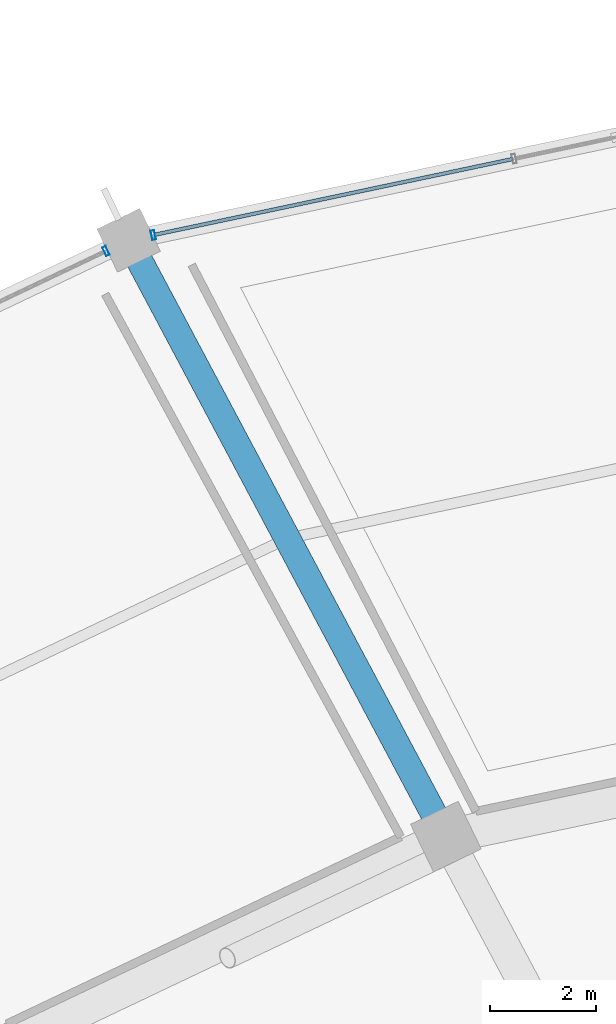
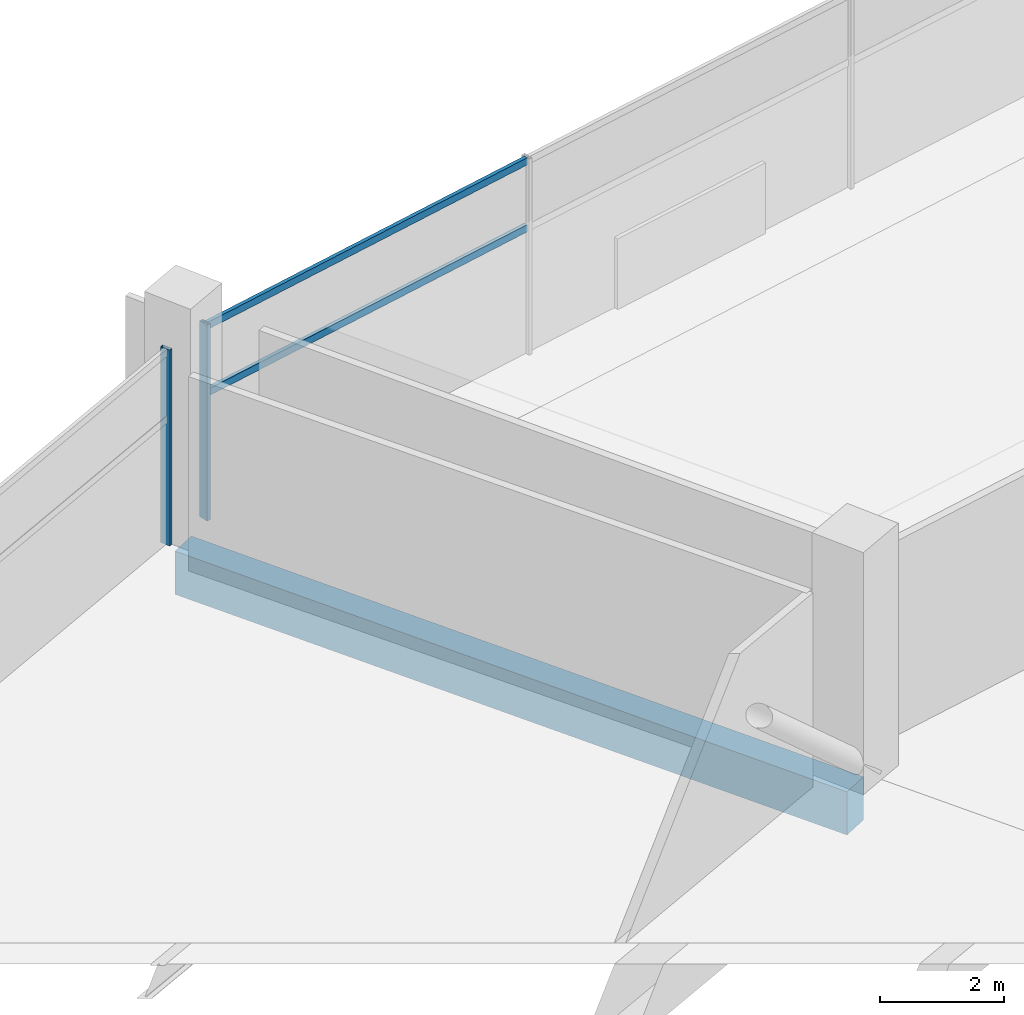
# One storey, part 75 of 156: 4 members, 1 beam, 2 elements without a shape of their own.
"""IFC4 building model written with IfcOpenShell, lengths in metres."""

from ifc_helpers import new_model, si_unit, direction, frame, origin, origin_2d, place, context, subcontext, project, spatial, rectangle, hollow_rectangle, extrude, material, layer, layer_set, material_profile, profile_set, type_object, element, aggregate, save


model = new_model("IFC4")

# Units and contexts
model_context = context("Model", 3, precision=1e-05, world=origin(), true_north=direction((0.0, 1.0)))
body_context = subcontext(model_context, "Body", "Model", "MODEL_VIEW")
ifc_project = project(units=[si_unit("LENGTHUNIT", "METRE"), si_unit("AREAUNIT", "SQUARE_METRE"), si_unit("VOLUMEUNIT", "CUBIC_METRE"), si_unit("PLANEANGLEUNIT", "RADIAN"), si_unit("MASSUNIT", "GRAM", prefix="KILO")], contexts=[model_context])

# Site, building, storey
site_placement = place(None, origin())
site = spatial("IfcSite", under=ifc_project, at=site_placement, CompositionType="ELEMENT")
building_placement = place(site_placement, origin())
building = spatial("IfcBuilding", under=site, at=building_placement, Name="Kazemori Nagisa Stadium", CompositionType="ELEMENT")
storey_placement = place(building_placement, frame((0.0, 0.0, 5.780029296875)))
storey = spatial("IfcBuildingStorey", under=building, at=storey_placement, Name="L01", CompositionType="ELEMENT", Elevation=5.780029296875)

# Beam
ifc_material_1 = material(Name="Concrete C40/50 (Fc42)", Category="concrete")
ifc_material_profile_1 = material_profile(ifc_material_1, rectangle(XDim=0.5, YDim=0.85009765625, at=origin_2d()), Name="RC-BM-500x850")
ifc_profile_set_1 = profile_set([ifc_material_profile_1], Name="Concrete C40/50 (Fc42)")
beam_type = type_object("IfcBeamType", Name="Beam_BG-RC500X850", PredefinedType="BEAM", material=ifc_profile_set_1)
beam_placement = place(storey_placement, frame((86.18798828125, 171.19921875, -0.705078125), z_axis=(-0.469648511848, 0.882853484628, 0.0), x_axis=(-0.882853484628, -0.469648511848, 0.0)))
element("IfcBeam", 1, at=beam_placement, inside=storey, type_object=beam_type, Name="Radial girder BG-RC500X850 L01 R2-R3-10", PredefinedType="BEAM", context=body_context, shape_type="SweptSolid", body=[
    extrude(rectangle(XDim=0.5, YDim=0.85009765625, at=origin_2d()), origin(), (0.0, 0.0, 1.0), 12.760009765625),
])

# Curtain wall, member
ifc_material_2 = material(Name="Anodised aluminium 6063-T5", Category="aluminium")
ifc_layer = layer(ifc_material_2, 0.179931640625, Name="Anodised aluminium 6063-T5", Category="aluminium")
ifc_layer_set = layer_set([ifc_layer], Name="Anodised aluminium 6063-T5")
curtain_wall_type = type_object("IfcCurtainWallType", Name="CW_L01R3_105", PredefinedType="USERDEFINED", material=ifc_layer_set)
curtain_wall_1_placement = place(storey_placement, origin())
curtain_wall_1 = element("IfcCurtainWall", 2, at=curtain_wall_1_placement, inside=storey, type_object=curtain_wall_type, Name="Unitised curtain wall CW-L01R3-105 L01", ObjectType="UNITISED CURTAIN WALL", PredefinedType="USERDEFINED")
ifc_material_3 = material(Name="Aluminium 6063-T5 anodised", Category="aluminium")
ifc_material_profile_2 = material_profile(ifc_material_3, hollow_rectangle(XDim=0.070068359375, YDim=0.179931640625, WallThickness=0.00390625, at=origin_2d()), Name="ALU-MULL-70x180x4")
ifc_profile_set_2 = profile_set([ifc_material_profile_2], Name="Aluminium 6063-T5 anodised")
member_type_1 = type_object("IfcMemberType", Name="Mullion_M01", PredefinedType="MULLION", material=ifc_profile_set_2)
member_1_placement = place(storey_placement, frame((80.659912109375, 182.5625, 0.0), z_axis=(0.0, 0.0, 1.0), x_axis=(-0.978344955407, -0.206981033502, 0.0)))
member_1 = element("IfcMember", 3, at=member_1_placement, type_object=member_type_1, Name="Curtain wall mullion CW-L01R3-105-M4", PredefinedType="MULLION", context=body_context, shape_type="SweptSolid", body=[
    extrude(hollow_rectangle(XDim=0.070068359375, YDim=0.179931640625, WallThickness=0.00390625, at=origin_2d()), origin(), (0.0, 0.0, 1.0), 3.849853515625),
])

curtain_wall_2_placement = place(storey_placement, origin())
curtain_wall_2 = element("IfcCurtainWall", 4, at=curtain_wall_2_placement, inside=storey, type_object=curtain_wall_type, Name="Unitised curtain wall CW-L01R3-105 L01", ObjectType="UNITISED CURTAIN WALL", PredefinedType="USERDEFINED")
member_2_placement = place(storey_placement, frame((79.766357421875, 182.260498046875, 0.0), z_axis=(0.0, 0.0, 1.0), x_axis=(-0.903215892654, -0.429186499388, 0.0)))
member_2 = element("IfcMember", 5, at=member_2_placement, type_object=member_type_1, Name="Curtain wall mullion CW-L01R3-105-M1", PredefinedType="MULLION", context=body_context, shape_type="SweptSolid", body=[
    extrude(hollow_rectangle(XDim=0.070068359375, YDim=0.179931640625, WallThickness=0.00390625, at=origin_2d()), origin(), (0.0, 0.0, 1.0), 3.849853515625),
])
aggregate(curtain_wall_2, [member_2])

# Member
ifc_material_profile_3 = material_profile(ifc_material_3, hollow_rectangle(XDim=0.070068359375, YDim=0.139892578125, WallThickness=0.00390625, at=origin_2d()), Name="ALU-TRAN-70x140x4")
ifc_profile_set_3 = profile_set([ifc_material_profile_3], Name="Aluminium 6063-T5 anodised")
member_type_2 = type_object("IfcMemberType", Name="Transom_T01", PredefinedType="USERDEFINED", material=ifc_profile_set_3)
member_3_placement = place(storey_placement, frame((87.456298828125, 184.00048828125, 2.4638671875), z_axis=(-0.97834174255, -0.206996219252, 0.0), x_axis=(0.206996219252, -0.97834174255, 0.0)))
member_3 = element("IfcMember", 6, at=member_3_placement, type_object=member_type_2, Name="Curtain wall transom CW-L01R3-105-T3-mid", ObjectType="TRANSOM", PredefinedType="USERDEFINED", context=body_context, shape_type="SweptSolid", body=[
    extrude(hollow_rectangle(XDim=0.070068359375, YDim=0.139892578125, WallThickness=0.00390625, at=origin_2d()), origin(), (0.0, 0.0, 1.0), 6.9267578125),
])

member_4_placement = place(storey_placement, frame((87.456298828125, 184.00048828125, 3.780029296875), z_axis=(-0.97834174255, -0.206996219252, 0.0), x_axis=(0.206996219252, -0.97834174255, 0.0)))
member_4 = element("IfcMember", 7, at=member_4_placement, type_object=member_type_2, Name="Curtain wall transom CW-L01R3-105-T3-head", ObjectType="TRANSOM", PredefinedType="USERDEFINED", context=body_context, shape_type="SweptSolid", body=[
    extrude(hollow_rectangle(XDim=0.070068359375, YDim=0.139892578125, WallThickness=0.00390625, at=origin_2d()), origin(), (0.0, 0.0, 1.0), 6.9267578125),
])

aggregate(curtain_wall_1, [member_1, member_3, member_4])

save(model, "model.ifc")
